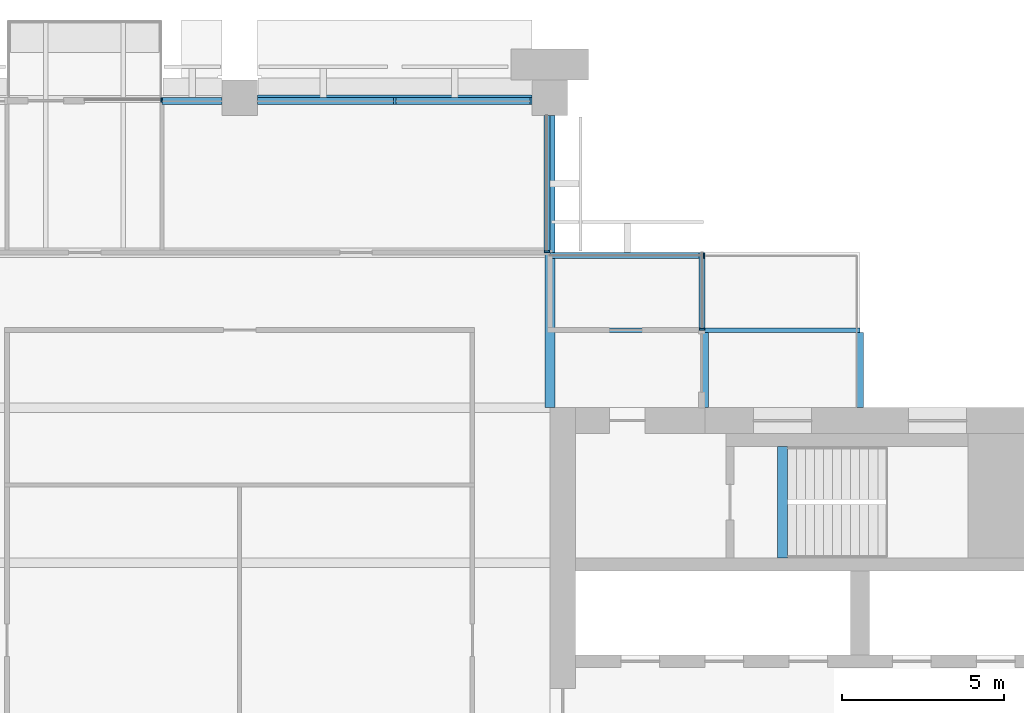
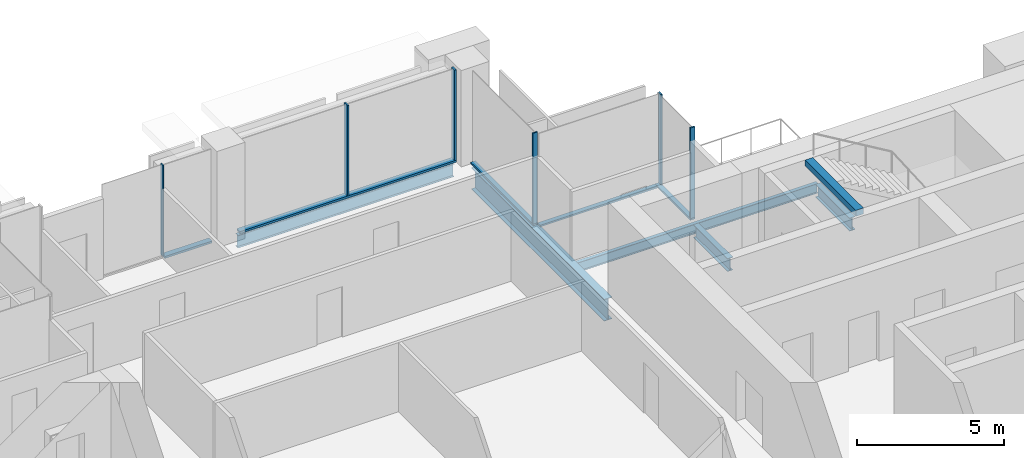
# One storey, part 6 of 14: 11 members, 6 beams, 5 elements without a shape of their own.
"""IFC4 building model written with IfcOpenShell, lengths in metres."""

from ifc_helpers import new_model, si_unit, direction, frame, origin, origin_2d, place, context, subcontext, project, spatial, rectangle, i_section, extrude, material, material_profile, profile_set, type_object, element, aggregate, save


model = new_model("IFC4")

# Units and contexts
model_context = context("Model", 3, precision=1e-05, world=origin(), true_north=direction((0.0, 1.0)))
body_context = subcontext(model_context, "Body", "Model", "MODEL_VIEW")
ifc_project = project(units=[si_unit("LENGTHUNIT", "METRE"), si_unit("AREAUNIT", "SQUARE_METRE"), si_unit("VOLUMEUNIT", "CUBIC_METRE"), si_unit("PLANEANGLEUNIT", "RADIAN"), si_unit("MASSUNIT", "GRAM", prefix="KILO")], contexts=[model_context])

# Site, building, storey
site_placement = place(None, origin())
site = spatial("IfcSite", under=ifc_project, at=site_placement, CompositionType="ELEMENT")
building_placement = place(site_placement, origin())
building = spatial("IfcBuilding", under=site, at=building_placement, Name="Baori Bourse Tower", CompositionType="ELEMENT")
storey_placement = place(building_placement, frame((0.0, 0.0, 257.199951171875)))
storey = spatial("IfcBuildingStorey", under=building, at=storey_placement, Name="L57", CompositionType="ELEMENT", Elevation=257.199951171875)

# Curtain wall, member
ifc_material_1 = material(Name="Pale anodised aluminium", Category="aluminium")
curtain_wall_type_1 = type_object("IfcCurtainWallType", Name="CW2 Curtain wall", PredefinedType="NOTDEFINED", material=ifc_material_1)
curtain_wall_1_placement = place(storey_placement, origin())
curtain_wall_1 = element("IfcCurtainWall", 1, at=curtain_wall_1_placement, inside=storey, type_object=curtain_wall_type_1, Name="Curtain wall CW2 L57 1", PredefinedType="NOTDEFINED")
ifc_material_2 = material(Name="Pale anodised aluminium", Category="aluminium")
ifc_material_profile_1 = material_profile(ifc_material_2, rectangle(XDim=0.179931640625, YDim=0.054931640625, at=origin_2d()), Name="Mullion 55x180")
ifc_profile_set_1 = profile_set([ifc_material_profile_1], Name="Pale anodised aluminium")
member_type_1 = type_object("IfcMemberType", Name="CW2 Curtain wall mullion", PredefinedType="MULLION", material=ifc_profile_set_1)
member_1_placement = place(storey_placement, frame((43.110107421875, 40.827392578125, 0.070068359375), z_axis=(0.0, 0.0, 1.0), x_axis=(-1.0, 0.0, 0.0)))
member_1 = element("IfcMember", 2, at=member_1_placement, type_object=member_type_1, Name="Curtain wall CW2 mullion", PredefinedType="MULLION", context=body_context, shape_type="SweptSolid", body=[
    extrude(rectangle(XDim=0.179931640625, YDim=0.054931640625, at=origin_2d()), origin(), (0.0, 0.0, 1.0), 3.77001953125),
])

curtain_wall_2_placement = place(storey_placement, origin())
curtain_wall_2 = element("IfcCurtainWall", 3, at=curtain_wall_2_placement, inside=storey, type_object=curtain_wall_type_1, Name="Curtain wall CW2 L57 2", PredefinedType="NOTDEFINED")
member_2_placement = place(storey_placement, frame((43.172607421875, 43.110107421875, 0.070068359375), z_axis=(0.0, 0.0, 1.0), x_axis=(0.0, -1.0, 0.0)))
member_2 = element("IfcMember", 4, at=member_2_placement, type_object=member_type_1, Name="Curtain wall CW2 mullion", PredefinedType="MULLION", context=body_context, shape_type="SweptSolid", body=[
    extrude(rectangle(XDim=0.179931640625, YDim=0.054931640625, at=origin_2d()), origin(), (0.0, 0.0, 1.0), 3.77001953125),
])

curtain_wall_3_placement = place(storey_placement, origin())
curtain_wall_3 = element("IfcCurtainWall", 5, at=curtain_wall_3_placement, inside=storey, type_object=curtain_wall_type_1, Name="Curtain wall CW2 L57 3", PredefinedType="NOTDEFINED")
member_3_placement = place(storey_placement, frame((38.31005859375, 43.2275390625, 0.070068359375), z_axis=(0.0, 0.0, 1.0), x_axis=(-1.0, 0.0, 0.0)))
member_3 = element("IfcMember", 6, at=member_3_placement, type_object=member_type_1, Name="Curtain wall CW2 mullion", PredefinedType="MULLION", context=body_context, shape_type="SweptSolid", body=[
    extrude(rectangle(XDim=0.179931640625, YDim=0.054931640625, at=origin_2d()), origin(), (0.0, 0.0, 1.0), 3.77001953125),
])

# Member
ifc_material_3 = material(Name="Pale anodised aluminium", Category="aluminium")
ifc_material_profile_2 = material_profile(ifc_material_3, rectangle(XDim=0.179931640625, YDim=0.070068359375, at=origin_2d()), Name="Transom 70x180")
ifc_profile_set_2 = profile_set([ifc_material_profile_2], Name="Pale anodised aluminium")
member_type_2 = type_object("IfcMemberType", Name="CW2 Curtain wall transom", PredefinedType="USERDEFINED", material=ifc_profile_set_2)
member_4_placement = place(storey_placement, frame((43.110107421875, 40.800048828125, 0.03515625), z_axis=(0.0, 1.0, 0.0), x_axis=(-1.0, 0.0, 0.0)))
member_4 = element("IfcMember", 7, at=member_4_placement, type_object=member_type_2, Name="Curtain wall CW2 sill rail", ObjectType="TRANSOM", PredefinedType="USERDEFINED", context=body_context, shape_type="SweptSolid", body=[
    extrude(rectangle(XDim=0.179931640625, YDim=0.070068359375, at=origin_2d()), origin(), (0.0, 0.0, 1.0), 2.39990234375),
])

aggregate(curtain_wall_1, [member_4, member_1])

member_5_placement = place(storey_placement, frame((43.199951171875, 43.110107421875, 0.03515625), z_axis=(-1.0, 0.0, 0.0), x_axis=(0.0, -1.0, 0.0)))
member_5 = element("IfcMember", 8, at=member_5_placement, type_object=member_type_2, Name="Curtain wall CW2 sill rail", ObjectType="TRANSOM", PredefinedType="USERDEFINED", context=body_context, shape_type="SweptSolid", body=[
    extrude(rectangle(XDim=0.179931640625, YDim=0.070068359375, at=origin_2d()), origin(), (0.0, 0.0, 1.0), 4.800048828125),
])

aggregate(curtain_wall_2, [member_5, member_2])

member_6_placement = place(storey_placement, frame((38.31005859375, 43.199951171875, 0.03515625), z_axis=(0.0, 1.0, 0.0), x_axis=(-1.0, 0.0, 0.0)))
member_6 = element("IfcMember", 9, at=member_6_placement, type_object=member_type_2, Name="Curtain wall CW2 sill rail", ObjectType="TRANSOM", PredefinedType="USERDEFINED", context=body_context, shape_type="SweptSolid", body=[
    extrude(rectangle(XDim=0.179931640625, YDim=0.070068359375, at=origin_2d()), origin(), (0.0, 0.0, 1.0), 4.25),
])

aggregate(curtain_wall_3, [member_6, member_3])

# Curtain wall, members
ifc_material_4 = material(Name="Pale anodised aluminium", Category="aluminium")
curtain_wall_type_2 = type_object("IfcCurtainWallType", Name="CW5 Curtain wall", PredefinedType="NOTDEFINED", material=ifc_material_4)
curtain_wall_4_placement = place(storey_placement, origin())
curtain_wall_4 = element("IfcCurtainWall", 10, at=curtain_wall_4_placement, inside=storey, type_object=curtain_wall_type_2, Name="Curtain wall CW5 L57 4", PredefinedType="NOTDEFINED")
ifc_material_5 = material(Name="Pale anodised aluminium", Category="aluminium")
ifc_material_profile_3 = material_profile(ifc_material_5, rectangle(XDim=0.219970703125, YDim=0.06494140625, at=origin_2d()), Name="Mullion 65x220")
ifc_profile_set_3 = profile_set([ifc_material_profile_3], Name="Pale anodised aluminium")
member_type_3 = type_object("IfcMemberType", Name="CW5 Curtain wall mullion", PredefinedType="MULLION", material=ifc_profile_set_3)
member_7_placement = place(storey_placement, frame((37.8173828125, 47.889892578125, 0.0849609375), z_axis=(0.0, 0.0, 1.0), x_axis=(0.0, -1.0, 0.0)))
member_7 = element("IfcMember", 11, at=member_7_placement, type_object=member_type_3, Name="Curtain wall CW5 mullion", PredefinedType="MULLION", context=body_context, shape_type="SweptSolid", body=[
    extrude(rectangle(XDim=0.219970703125, YDim=0.06494140625, at=origin_2d()), origin(), (0.0, 0.0, 1.0), 3.755126953125),
])
member_8_placement = place(storey_placement, frame((33.60009765625, 47.889892578125, 0.0849609375), z_axis=(0.0, 0.0, 1.0), x_axis=(0.0, -1.0, 0.0)))
member_8 = element("IfcMember", 12, at=member_8_placement, type_object=member_type_3, Name="Curtain wall CW5 mullion", PredefinedType="MULLION", context=body_context, shape_type="SweptSolid", body=[
    extrude(rectangle(XDim=0.219970703125, YDim=0.06494140625, at=origin_2d()), origin(), (0.0, 0.0, 1.0), 3.755126953125),
])
ifc_material_6 = material(Name="Pale anodised aluminium", Category="aluminium")
ifc_material_profile_4 = material_profile(ifc_material_6, rectangle(XDim=0.219970703125, YDim=0.0849609375, at=origin_2d()), Name="Transom 85x220")
ifc_profile_set_4 = profile_set([ifc_material_profile_4], Name="Pale anodised aluminium")
member_type_4 = type_object("IfcMemberType", Name="CW5 Curtain wall transom", PredefinedType="USERDEFINED", material=ifc_profile_set_4)
member_9_placement = place(storey_placement, frame((37.85009765625, 47.889892578125, 0.04248046875), z_axis=(-1.0, 0.0, 0.0), x_axis=(0.0, -1.0, 0.0)))
member_9 = element("IfcMember", 13, at=member_9_placement, type_object=member_type_4, Name="Curtain wall CW5 sill rail", ObjectType="TRANSOM", PredefinedType="USERDEFINED", context=body_context, shape_type="SweptSolid", body=[
    extrude(rectangle(XDim=0.219970703125, YDim=0.0849609375, at=origin_2d()), origin(), (0.0, 0.0, 1.0), 8.5),
])
member_10_placement = place(storey_placement, frame((28.25, 47.889892578125, 0.04248046875), z_axis=(-1.0, 0.0, 0.0), x_axis=(0.0, -1.0, 0.0)))
member_10 = element("IfcMember", 14, at=member_10_placement, type_object=member_type_4, Name="Curtain wall CW5 sill rail", ObjectType="TRANSOM", PredefinedType="USERDEFINED", context=body_context, shape_type="SweptSolid", body=[
    extrude(rectangle(XDim=0.219970703125, YDim=0.0849609375, at=origin_2d()), origin(), (0.0, 0.0, 1.0), 1.85009765625),
])
aggregate(curtain_wall_4, [member_9, member_7, member_8, member_10])

# Curtain wall, member
ifc_material_7 = material(Name="Pale anodised aluminium", Category="aluminium")
curtain_wall_type_3 = type_object("IfcCurtainWallType", Name="CW6 Curtain wall", PredefinedType="NOTDEFINED", material=ifc_material_7)
curtain_wall_5_placement = place(storey_placement, origin())
curtain_wall_5 = element("IfcCurtainWall", 15, at=curtain_wall_5_placement, inside=storey, type_object=curtain_wall_type_3, Name="Curtain wall CW6 L57 5", PredefinedType="NOTDEFINED")
ifc_material_8 = material(Name="Pale anodised aluminium", Category="aluminium")
ifc_material_profile_5 = material_profile(ifc_material_8, rectangle(XDim=0.14990234375, YDim=0.050048828125, at=origin_2d()), Name="Mullion 50x150")
ifc_profile_set_5 = profile_set([ifc_material_profile_5], Name="Pale anodised aluminium")
member_type_5 = type_object("IfcMemberType", Name="CW6 Curtain wall mullion", PredefinedType="MULLION", material=ifc_profile_set_5)
member_11_placement = place(storey_placement, frame((26.375, 47.925048828125, 0.06494140625), z_axis=(0.0, 0.0, 1.0), x_axis=(0.0, -1.0, 0.0)))
member_11 = element("IfcMember", 16, at=member_11_placement, type_object=member_type_5, Name="Curtain wall CW6 mullion", PredefinedType="MULLION", context=body_context, shape_type="SweptSolid", body=[
    extrude(rectangle(XDim=0.14990234375, YDim=0.050048828125, at=origin_2d()), origin(), (0.0, 0.0, 1.0), 3.775146484375),
])
aggregate(curtain_wall_5, [member_11])

# Beams
ifc_material_9 = material(Name="Steel A992 Gr 50", Category="steel")
ifc_material_profile_6 = material_profile(ifc_material_9, i_section(OverallWidth=0.21240234375, OverallDepth=0.54345703125, WebThickness=0.01318359375, FlangeThickness=0.021240234375, at=origin_2d()), Name="W21x83")
ifc_profile_set_6 = profile_set([ifc_material_profile_6], Name="Steel A992 Gr 50")
beam_type_1 = type_object("IfcBeamType", Name="Core bracket W21x83", PredefinedType="BEAM", material=ifc_profile_set_6)
for number, where, z_axis, x_axis, name in (
    (17, (43.199951171875, 38.39990234375, -0.431640625), (0.0, 1.0, 0.0), (-1.0, 0.0, 0.0), "Core bracket L57"),
    (18, (48.0, 38.39990234375, -0.431640625), (0.0, 1.0, 0.0), (-1.0, 0.0, 0.0), "Core bracket L57"),
):
    element("IfcBeam", number, at=place(storey_placement, frame(where, z_axis=z_axis, x_axis=x_axis)), inside=storey, type_object=beam_type_1, Name=name, PredefinedType="BEAM", context=body_context, shape_type="SweptSolid", body=[
        extrude(i_section(OverallWidth=0.21240234375, OverallDepth=0.54345703125, WebThickness=0.01318359375, FlangeThickness=0.021240234375, at=origin_2d()), origin(), (0.0, 0.0, 1.0), 2.329833984375),
    ])
ifc_material_10 = material(Name="Steel A992 Gr 50", Category="steel")
ifc_material_profile_7 = material_profile(ifc_material_10, i_section(OverallWidth=0.1650390625, OverallDepth=0.52587890625, WebThickness=0.0087890625, FlangeThickness=0.011474609375, at=origin_2d()), Name="W21x44")
ifc_profile_set_7 = profile_set([ifc_material_profile_7], Name="Steel A992 Gr 50")
beam_type_2 = type_object("IfcBeamType", Name="Edge beam W21x44", PredefinedType="BEAM", material=ifc_profile_set_7)
beam_1_placement = place(storey_placement, frame((29.35009765625, 48.0, -0.4228515625), z_axis=(1.0, 0.0, 0.0), x_axis=(0.0, 1.0, 0.0)))
element("IfcBeam", 19, at=beam_1_placement, inside=storey, type_object=beam_type_2, Name="Edge beam L57", PredefinedType="BEAM", context=body_context, shape_type="SweptSolid", body=[
    extrude(i_section(OverallWidth=0.1650390625, OverallDepth=0.52587890625, WebThickness=0.0087890625, FlangeThickness=0.011474609375, at=origin_2d()), origin(), (0.0, 0.0, 1.0), 8.5),
])
ifc_material_11 = material(Name="Steel A992 Gr 50", Category="steel")
ifc_material_profile_8 = material_profile(ifc_material_11, i_section(OverallWidth=0.3046875, OverallDepth=0.904296875, WebThickness=0.01513671875, FlangeThickness=0.02001953125, at=origin_2d()), Name="W36x135")
ifc_profile_set_8 = profile_set([ifc_material_profile_8], Name="Steel A992 Gr 50")
beam_type_3 = type_object("IfcBeamType", Name="Girder W36x135", PredefinedType="BEAM", material=ifc_profile_set_8)
beam_2_placement = place(storey_placement, frame((38.39990234375, 38.39990234375, -0.612060546875), z_axis=(0.0, 1.0, 0.0), x_axis=(-1.0, 0.0, 0.0)))
element("IfcBeam", 20, at=beam_2_placement, inside=storey, type_object=beam_type_3, Name="Girder L57", PredefinedType="BEAM", context=body_context, shape_type="SweptSolid", body=[
    extrude(i_section(OverallWidth=0.3046875, OverallDepth=0.904296875, WebThickness=0.01513671875, FlangeThickness=0.02001953125, at=origin_2d()), origin(), (0.0, 0.0, 1.0), 9.050048828125),
])
ifc_material_12 = material(Name="Concrete f'c 50 MPa", Category="concrete")
ifc_material_profile_9 = material_profile(ifc_material_12, rectangle(XDim=0.300048828125, YDim=0.25, at=origin_2d()), Name="RC 300x250")
ifc_profile_set_9 = profile_set([ifc_material_profile_9], Name="Concrete f'c 50 MPa")
beam_type_4 = type_object("IfcBeamType", Name="Stair nib beam RC 300x250", PredefinedType="BEAM", material=ifc_profile_set_9)
beam_3_placement = place(storey_placement, frame((45.60009765625, 33.75, 3.715087890625), z_axis=(0.0, 1.0, 0.0), x_axis=(-1.0, 0.0, 0.0)))
element("IfcBeam", 21, at=beam_3_placement, inside=storey, type_object=beam_type_4, Name="Stair EB nib beam L58", PredefinedType="BEAM", context=body_context, shape_type="SweptSolid", body=[
    extrude(rectangle(XDim=0.300048828125, YDim=0.25, at=origin_2d()), origin(), (0.0, 0.0, 1.0), 3.449951171875),
])
ifc_material_13 = material(Name="Steel A992 Gr 50", Category="steel")
ifc_material_profile_10 = material_profile(ifc_material_13, i_section(OverallWidth=0.140380859375, OverallDepth=0.40380859375, WebThickness=0.007080078125, FlangeThickness=0.01123046875, at=origin_2d()), Name="W16x31")
ifc_profile_set_10 = profile_set([ifc_material_profile_10], Name="Steel A992 Gr 50")
beam_type_5 = type_object("IfcBeamType", Name="Trimmer beam W16x31", PredefinedType="BEAM", material=ifc_profile_set_10)
beam_4_placement = place(storey_placement, frame((38.552490234375, 40.800048828125, -0.36181640625), z_axis=(1.0, 0.0, 0.0), x_axis=(0.0, 1.0, 0.0)))
element("IfcBeam", 22, at=beam_4_placement, inside=storey, type_object=beam_type_5, Name="Trimmer beam L57", PredefinedType="BEAM", context=body_context, shape_type="SweptSolid", body=[
    extrude(i_section(OverallWidth=0.140380859375, OverallDepth=0.40380859375, WebThickness=0.007080078125, FlangeThickness=0.01123046875, at=origin_2d()), origin(), (0.0, 0.0, 1.0), 9.447509765625),
])

save(model, "model.ifc")
